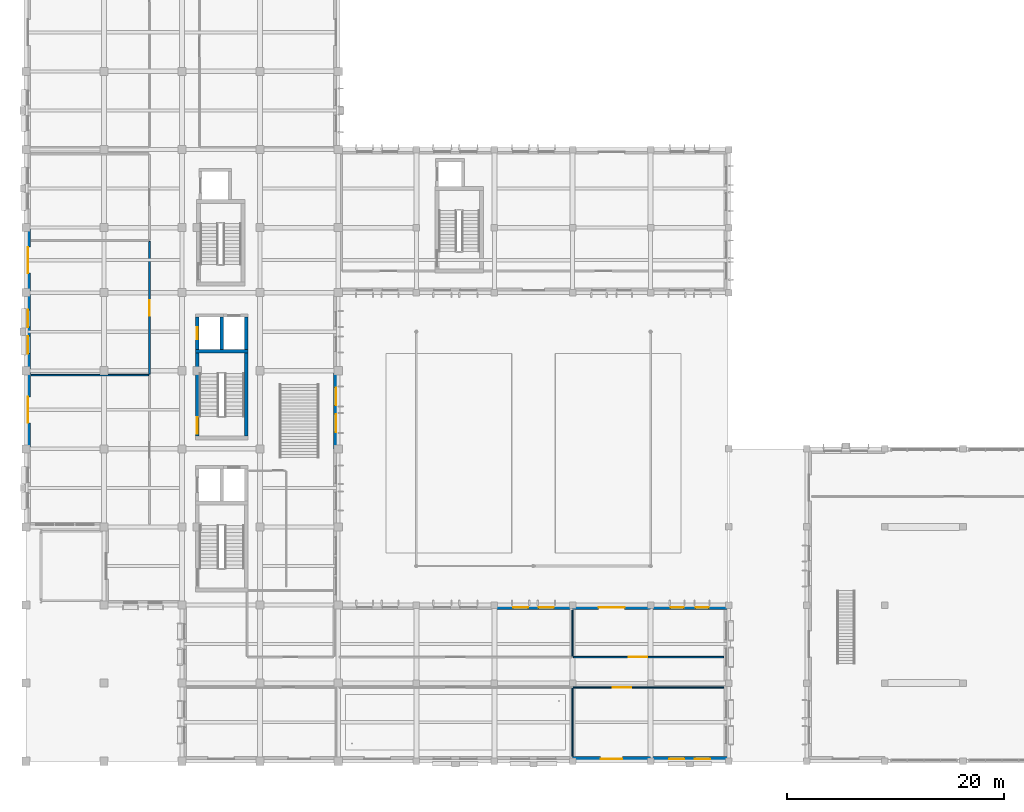
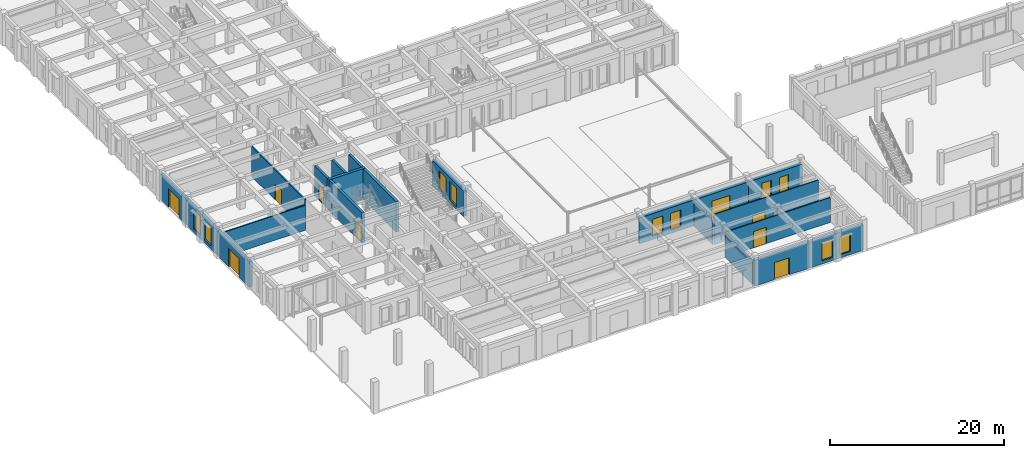
# One storey, part 23 of 43: 21 walls, 10 windows, 9 doors, 19 openings.
"""IFC4 building model written with IfcOpenShell, lengths in metres."""

from ifc_helpers import new_model, si_unit, direction, frame, frame_2d, origin, place, context, subcontext, project, spatial, rectangle, extrude, material, layer, layer_set, type_object, element, fill, save


model = new_model("IFC4")

# Units and contexts
model_context = context("Model", 3, precision=1e-05, world=origin(), true_north=direction((0.0, 1.0)))
body_context = subcontext(model_context, "Body", "Model", "MODEL_VIEW")
ifc_project = project(units=[si_unit("LENGTHUNIT", "METRE"), si_unit("AREAUNIT", "SQUARE_METRE"), si_unit("VOLUMEUNIT", "CUBIC_METRE"), si_unit("PLANEANGLEUNIT", "RADIAN"), si_unit("MASSUNIT", "GRAM", prefix="KILO")], contexts=[model_context])

# Site, building, storey
site_placement = place(None, origin())
site = spatial("IfcSite", under=ifc_project, at=site_placement, CompositionType="ELEMENT")
building_placement = place(site_placement, origin())
building = spatial("IfcBuilding", under=site, at=building_placement, Name="Alvorim Cloister Faculty of Sciences", CompositionType="ELEMENT")
storey_placement = place(building_placement, origin())
storey = spatial("IfcBuildingStorey", under=building, at=storey_placement, Name="L00", CompositionType="ELEMENT", Elevation=0.0)

# Wall, openings, windows
ifc_material_1 = material(Name="Maua Grey Granite Stone", Category="masonry")
ifc_layer_1 = layer(ifc_material_1, 0.419921875)
ifc_layer_set_1 = layer_set([ifc_layer_1], Name="Maua Grey Granite Stone")
wall_type_1 = type_object("IfcWallType", Name="WL-EXT-GRN-420", PredefinedType="SOLIDWALL", material=ifc_layer_set_1)
wall_1_placement = place(storey_placement, frame((57.60009765625, 0.2099609375, 0.0), z_axis=(0.0, 0.0, 1.0), x_axis=(1.0, 0.0, 0.0)))
wall_1 = element("IfcWall", 1, at=wall_1_placement, inside=storey, type_object=wall_type_1, Name="L00 Exterior Wall WL-0019", PredefinedType="SOLIDWALL", context=body_context, shape_type="SweptSolid", body=[
    extrude(rectangle(XDim=7.199951171875, YDim=0.419921875, at=frame_2d((3.60009765625, 0.0))), origin(), (0.0, 0.0, 1.0), 3.6201171875),
])
opening_1_placement = place(wall_1_placement, frame((1.716796875, 0.0, 0.449951171875)))
opening_1 = element("IfcOpeningElement", 2, at=opening_1_placement, cuts=wall_1, Name="Opening W-13", PredefinedType="OPENING", context=body_context, shape_type="SweptSolid", body=[
    extrude(rectangle(XDim=1.39990234375, YDim=2.550048828125, at=frame_2d((0.699951171875, 1.27490234375))), frame((0.0, 0.221923828125, 0.0), z_axis=(0.0, -1.0, 0.0), x_axis=(1.0, 0.0, 0.0)), (0.0, 0.0, 1.0), 0.44384765625),
])
opening_2_placement = place(wall_1_placement, frame((4.083251953125, 0.0, 0.449951171875)))
opening_2 = element("IfcOpeningElement", 3, at=opening_2_placement, cuts=wall_1, Name="Opening W-13", PredefinedType="OPENING", context=body_context, shape_type="SweptSolid", body=[
    extrude(rectangle(XDim=1.39990234375, YDim=2.550048828125, at=frame_2d((0.699951171875, 1.27490234375))), frame((0.0, 0.221923828125, 0.0), z_axis=(0.0, -1.0, 0.0), x_axis=(1.0, 0.0, 0.0)), (0.0, 0.0, 1.0), 0.44384765625),
])
ifc_material_2 = material(Name="Double Low-E Laminated Glass", Category="glass")
window_type_1 = type_object("IfcWindowType", Name="WN-LIB-1400x2550", PartitioningType="SINGLE_PANEL", PredefinedType="WINDOW", material=ifc_material_2)
window_1_placement = place(opening_1_placement, origin())
window_1 = element("IfcWindow", 4, at=window_1_placement, inside=storey, type_object=window_type_1, Name="L00 Gothic Lancet Window WN-0005", OverallHeight=2.550048828125, OverallWidth=1.39990234375, PartitioningType="SINGLE_PANEL", PredefinedType="WINDOW", context=body_context, shape_type="SweptSolid", body=[
    extrude(rectangle(XDim=1.39990234375, YDim=2.550048828125, at=frame_2d((0.699951171875, 1.27490234375))), frame((0.0, 0.030029296875, 0.0), z_axis=(0.0, -1.0, 0.0), x_axis=(1.0, 0.0, 0.0)), (0.0, 0.0, 1.0), 0.06005859375),
])
fill(opening_1, window_1)
window_2_placement = place(opening_2_placement, origin())
window_2 = element("IfcWindow", 5, at=window_2_placement, inside=storey, type_object=window_type_1, Name="L00 Gothic Lancet Window WN-0006", OverallHeight=2.550048828125, OverallWidth=1.39990234375, PartitioningType="SINGLE_PANEL", PredefinedType="WINDOW", context=body_context, shape_type="SweptSolid", body=[
    extrude(rectangle(XDim=1.39990234375, YDim=2.550048828125, at=frame_2d((0.699951171875, 1.27490234375))), frame((0.0, 0.030029296875, 0.0), z_axis=(0.0, -1.0, 0.0), x_axis=(1.0, 0.0, 0.0)), (0.0, 0.0, 1.0), 0.06005859375),
])
fill(opening_2, window_2)

# Wall, opening, door
wall_2_placement = place(storey_placement, frame((50.39990234375, 0.2099609375, 0.0), z_axis=(0.0, 0.0, 1.0), x_axis=(1.0, 0.0, 0.0)))
wall_2 = element("IfcWall", 6, at=wall_2_placement, inside=storey, type_object=wall_type_1, Name="L00 Exterior Wall WL-0020", PredefinedType="SOLIDWALL", context=body_context, shape_type="SweptSolid", body=[
    extrude(rectangle(XDim=7.2001953125, YDim=0.419921875, at=frame_2d((3.60009765625, 0.0))), origin(), (0.0, 0.0, 1.0), 3.6201171875),
])
opening_3_placement = place(wall_2_placement, frame((2.60009765625, 0.0, 0.0)))
opening_3 = element("IfcOpeningElement", 7, at=opening_3_placement, cuts=wall_2, Name="Opening ED-03", PredefinedType="OPENING", context=body_context, shape_type="SweptSolid", body=[
    extrude(rectangle(XDim=2.0, YDim=2.39990234375, at=frame_2d((1.0, 1.199951171875))), frame((0.0, 0.221923828125, 0.0), z_axis=(0.0, -1.0, 0.0), x_axis=(1.0, 0.0, 0.0)), (0.0, 0.0, 1.0), 0.44384765625),
])
ifc_material_3 = material(Name="Aluminium Alloy 6063-T6", Category="aluminium")
door_type_1 = type_object("IfcDoorType", Name="DR-EXIT-2000x2400", OperationType="NOTDEFINED", PredefinedType="DOOR", material=ifc_material_3)
door_1_placement = place(opening_3_placement, origin())
door_1 = element("IfcDoor", 8, at=door_1_placement, inside=storey, type_object=door_type_1, Name="Cloister Refectory Street Entrance ED-03", OperationType="DOUBLE_DOOR_SINGLE_SWING", OverallHeight=2.39990234375, OverallWidth=2.0, PredefinedType="DOOR", context=body_context, shape_type="SweptSolid", body=[
    extrude(rectangle(XDim=2.0, YDim=2.39990234375, at=frame_2d((1.0, 1.199951171875))), frame((0.0, 0.02490234375, 0.0), z_axis=(0.0, -1.0, 0.0), x_axis=(1.0, 0.0, 0.0)), (0.0, 0.0, 1.0), 0.050048828125),
])
fill(opening_3, door_1)

wall_3_placement = place(storey_placement, frame((0.2099609375, 28.800048828125, 0.0), z_axis=(0.0, 0.0, 1.0), x_axis=(0.0, 1.0, 0.0)))
wall_3 = element("IfcWall", 9, at=wall_3_placement, inside=storey, type_object=wall_type_1, Name="L00 Exterior Wall WL-0032", PredefinedType="SOLIDWALL", context=body_context, shape_type="SweptSolid", body=[
    extrude(rectangle(XDim=7.199951171875, YDim=0.419921875, at=frame_2d((3.60009765625, 0.0))), origin(), (0.0, 0.0, 1.0), 3.6201171875),
])
opening_4_placement = place(wall_3_placement, frame((2.39990234375, 0.0, 0.0)))
opening_4 = element("IfcOpeningElement", 10, at=opening_4_placement, cuts=wall_3, Name="Opening ED-16", PredefinedType="OPENING", context=body_context, shape_type="SweptSolid", body=[
    extrude(rectangle(XDim=2.39990234375, YDim=2.60009765625, at=frame_2d((1.199951171875, 1.300048828125))), frame((0.0, 0.221923828125, 0.0), z_axis=(0.0, -1.0, 0.0), x_axis=(1.0, 0.0, 0.0)), (0.0, 0.0, 1.0), 0.44384765625),
])
door_type_2 = type_object("IfcDoorType", Name="DR-EXIT-2400x2600", OperationType="NOTDEFINED", PredefinedType="DOOR", material=ifc_material_3)
door_2_placement = place(opening_4_placement, origin())
door_2 = element("IfcDoor", 11, at=door_2_placement, inside=storey, type_object=door_type_2, Name="West Street Lab Foyer Exit ED-16", OperationType="DOUBLE_DOOR_SINGLE_SWING", OverallHeight=2.60009765625, OverallWidth=2.39990234375, PredefinedType="DOOR", context=body_context, shape_type="SweptSolid", body=[
    extrude(rectangle(XDim=2.39990234375, YDim=2.60009765625, at=frame_2d((1.199951171875, 1.300048828125))), frame((0.0, 0.02490234375, 0.0), z_axis=(0.0, -1.0, 0.0), x_axis=(1.0, 0.0, 0.0)), (0.0, 0.0, 1.0), 0.050048828125),
])
fill(opening_4, door_2)

# Wall, openings, windows
wall_4_placement = place(storey_placement, frame((0.2099609375, 36.0, 0.0), z_axis=(0.0, 0.0, 1.0), x_axis=(0.0, 1.0, 0.0)))
wall_4 = element("IfcWall", 12, at=wall_4_placement, inside=storey, type_object=wall_type_1, Name="L00 Exterior Wall WL-0033", PredefinedType="SOLIDWALL", context=body_context, shape_type="SweptSolid", body=[
    extrude(rectangle(XDim=7.199951171875, YDim=0.419921875, at=frame_2d((3.60009765625, 0.0))), origin(), (0.0, 0.0, 1.0), 3.6201171875),
])
opening_5_placement = place(wall_4_placement, frame((1.583251953125, 0.0, 0.449951171875)))
opening_5 = element("IfcOpeningElement", 13, at=opening_5_placement, cuts=wall_4, Name="Opening W-11", PredefinedType="OPENING", context=body_context, shape_type="SweptSolid", body=[
    extrude(rectangle(XDim=1.60009765625, YDim=2.64990234375, at=frame_2d((0.800048828125, 1.324951171875))), frame((0.0, 0.221923828125, 0.0), z_axis=(0.0, -1.0, 0.0), x_axis=(1.0, 0.0, 0.0)), (0.0, 0.0, 1.0), 0.44384765625),
])
opening_6_placement = place(wall_4_placement, frame((4.0166015625, 0.0, 0.449951171875)))
opening_6 = element("IfcOpeningElement", 14, at=opening_6_placement, cuts=wall_4, Name="Opening W-11", PredefinedType="OPENING", context=body_context, shape_type="SweptSolid", body=[
    extrude(rectangle(XDim=1.60009765625, YDim=2.64990234375, at=frame_2d((0.800048828125, 1.324951171875))), frame((0.0, 0.221923828125, 0.0), z_axis=(0.0, -1.0, 0.0), x_axis=(1.0, 0.0, 0.0)), (0.0, 0.0, 1.0), 0.44384765625),
])
window_type_2 = type_object("IfcWindowType", Name="WN-LIB-1600x2650", PartitioningType="SINGLE_PANEL", PredefinedType="WINDOW", material=ifc_material_2)
window_3_placement = place(opening_5_placement, origin())
window_3 = element("IfcWindow", 15, at=window_3_placement, inside=storey, type_object=window_type_2, Name="L00 Gothic Lancet Window WN-0022", OverallHeight=2.64990234375, OverallWidth=1.60009765625, PartitioningType="SINGLE_PANEL", PredefinedType="WINDOW", context=body_context, shape_type="SweptSolid", body=[
    extrude(rectangle(XDim=1.60009765625, YDim=2.64990234375, at=frame_2d((0.800048828125, 1.324951171875))), frame((0.0, 0.030029296875, 0.0), z_axis=(0.0, -1.0, 0.0), x_axis=(1.0, 0.0, 0.0)), (0.0, 0.0, 1.0), 0.06005859375),
])
fill(opening_5, window_3)
window_4_placement = place(opening_6_placement, origin())
window_4 = element("IfcWindow", 16, at=window_4_placement, inside=storey, type_object=window_type_2, Name="L00 Gothic Lancet Window WN-0023", OverallHeight=2.64990234375, OverallWidth=1.60009765625, PartitioningType="SINGLE_PANEL", PredefinedType="WINDOW", context=body_context, shape_type="SweptSolid", body=[
    extrude(rectangle(XDim=1.60009765625, YDim=2.64990234375, at=frame_2d((0.800048828125, 1.324951171875))), frame((0.0, 0.030029296875, 0.0), z_axis=(0.0, -1.0, 0.0), x_axis=(1.0, 0.0, 0.0)), (0.0, 0.0, 1.0), 0.06005859375),
])
fill(opening_6, window_4)

# Wall, opening, door
wall_5_placement = place(storey_placement, frame((0.2099609375, 43.199951171875, 0.0), z_axis=(0.0, 0.0, 1.0), x_axis=(0.0, 1.0, 0.0)))
wall_5 = element("IfcWall", 17, at=wall_5_placement, inside=storey, type_object=wall_type_1, Name="L00 Exterior Wall WL-0034", PredefinedType="SOLIDWALL", context=body_context, shape_type="SweptSolid", body=[
    extrude(rectangle(XDim=6.0, YDim=0.419921875, at=frame_2d((3.0, 0.0))), origin(), (0.0, 0.0, 1.0), 3.6201171875),
])
opening_7_placement = place(wall_5_placement, frame((1.800048828125, 0.0, 0.0)))
opening_7 = element("IfcOpeningElement", 18, at=opening_7_placement, cuts=wall_5, Name="Opening ED-17", PredefinedType="OPENING", context=body_context, shape_type="SweptSolid", body=[
    extrude(rectangle(XDim=2.39990234375, YDim=2.60009765625, at=frame_2d((1.199951171875, 1.300048828125))), frame((0.0, 0.221923828125, 0.0), z_axis=(0.0, -1.0, 0.0), x_axis=(1.0, 0.0, 0.0)), (0.0, 0.0, 1.0), 0.44384765625),
])
door_3_placement = place(opening_7_placement, origin())
door_3 = element("IfcDoor", 19, at=door_3_placement, inside=storey, type_object=door_type_2, Name="West Street North Colonnade Exit ED-17", OperationType="DOUBLE_DOOR_SINGLE_SWING", OverallHeight=2.60009765625, OverallWidth=2.39990234375, PredefinedType="DOOR", context=body_context, shape_type="SweptSolid", body=[
    extrude(rectangle(XDim=2.39990234375, YDim=2.60009765625, at=frame_2d((1.199951171875, 1.300048828125))), frame((0.0, 0.02490234375, 0.0), z_axis=(0.0, -1.0, 0.0), x_axis=(1.0, 0.0, 0.0)), (0.0, 0.0, 1.0), 0.050048828125),
])
fill(opening_7, door_3)

# Wall, openings, windows
wall_6_placement = place(storey_placement, frame((28.590087890625, 28.800048828125, 0.0), z_axis=(0.0, 0.0, 1.0), x_axis=(0.0, 1.0, 0.0)))
wall_6 = element("IfcWall", 20, at=wall_6_placement, inside=storey, type_object=wall_type_1, Name="L00 Exterior Wall WL-0069", PredefinedType="SOLIDWALL", context=body_context, shape_type="SweptSolid", body=[
    extrude(rectangle(XDim=7.199951171875, YDim=0.419921875, at=frame_2d((3.60009765625, 0.0))), origin(), (0.0, 0.0, 1.0), 3.6201171875),
])
opening_8_placement = place(wall_6_placement, frame((1.550048828125, 0.0, 0.449951171875)))
opening_8 = element("IfcOpeningElement", 21, at=opening_8_placement, cuts=wall_6, Name="Opening W-15", PredefinedType="OPENING", context=body_context, shape_type="SweptSolid", body=[
    extrude(rectangle(XDim=1.64990234375, YDim=2.60009765625, at=frame_2d((0.824951171875, 1.300048828125))), frame((0.0, 0.221923828125, 0.0), z_axis=(0.0, -1.0, 0.0), x_axis=(1.0, 0.0, 0.0)), (0.0, 0.0, 1.0), 0.44384765625),
])
opening_9_placement = place(wall_6_placement, frame((4.0, 0.0, 0.449951171875)))
opening_9 = element("IfcOpeningElement", 22, at=opening_9_placement, cuts=wall_6, Name="Opening W-15", PredefinedType="OPENING", context=body_context, shape_type="SweptSolid", body=[
    extrude(rectangle(XDim=1.64990234375, YDim=2.60009765625, at=frame_2d((0.824951171875, 1.300048828125))), frame((0.0, 0.221923828125, 0.0), z_axis=(0.0, -1.0, 0.0), x_axis=(1.0, 0.0, 0.0)), (0.0, 0.0, 1.0), 0.44384765625),
])
window_type_3 = type_object("IfcWindowType", Name="WN-LAB-1650x2600", PartitioningType="SINGLE_PANEL", PredefinedType="WINDOW", material=ifc_material_2)
window_5_placement = place(opening_8_placement, origin())
window_5 = element("IfcWindow", 23, at=window_5_placement, inside=storey, type_object=window_type_3, Name="L00 Gothic Lancet Window WN-0079", OverallHeight=2.60009765625, OverallWidth=1.64990234375, PartitioningType="SINGLE_PANEL", PredefinedType="WINDOW", context=body_context, shape_type="SweptSolid", body=[
    extrude(rectangle(XDim=1.64990234375, YDim=2.60009765625, at=frame_2d((0.824951171875, 1.300048828125))), frame((0.0, 0.030029296875, 0.0), z_axis=(0.0, -1.0, 0.0), x_axis=(1.0, 0.0, 0.0)), (0.0, 0.0, 1.0), 0.06005859375),
])
fill(opening_8, window_5)
window_6_placement = place(opening_9_placement, origin())
window_6 = element("IfcWindow", 24, at=window_6_placement, inside=storey, type_object=window_type_3, Name="L00 Gothic Lancet Window WN-0080", OverallHeight=2.60009765625, OverallWidth=1.64990234375, PartitioningType="SINGLE_PANEL", PredefinedType="WINDOW", context=body_context, shape_type="SweptSolid", body=[
    extrude(rectangle(XDim=1.64990234375, YDim=2.60009765625, at=frame_2d((0.824951171875, 1.300048828125))), frame((0.0, 0.030029296875, 0.0), z_axis=(0.0, -1.0, 0.0), x_axis=(1.0, 0.0, 0.0)), (0.0, 0.0, 1.0), 0.06005859375),
])
fill(opening_9, window_6)

wall_7_placement = place(storey_placement, frame((43.199951171875, 14.18994140625, 0.0), z_axis=(0.0, 0.0, 1.0), x_axis=(1.0, 0.0, 0.0)))
wall_7 = element("IfcWall", 25, at=wall_7_placement, inside=storey, type_object=wall_type_1, Name="L00 Exterior Wall WL-0074", PredefinedType="SOLIDWALL", context=body_context, shape_type="SweptSolid", body=[
    extrude(rectangle(XDim=7.199951171875, YDim=0.419921875, at=frame_2d((3.60009765625, 0.0))), origin(), (0.0, 0.0, 1.0), 3.6201171875),
])
opening_10_placement = place(wall_7_placement, frame((1.716796875, 0.0, 0.449951171875)))
opening_10 = element("IfcOpeningElement", 26, at=opening_10_placement, cuts=wall_7, Name="Opening W-20", PredefinedType="OPENING", context=body_context, shape_type="SweptSolid", body=[
    extrude(rectangle(XDim=1.39990234375, YDim=2.3798828125, at=frame_2d((0.699951171875, 1.18994140625))), frame((0.0, 0.221923828125, 0.0), z_axis=(0.0, -1.0, 0.0), x_axis=(1.0, 0.0, 0.0)), (0.0, 0.0, 1.0), 0.44384765625),
])
opening_11_placement = place(wall_7_placement, frame((4.083251953125, 0.0, 0.449951171875)))
opening_11 = element("IfcOpeningElement", 27, at=opening_11_placement, cuts=wall_7, Name="Opening W-20", PredefinedType="OPENING", context=body_context, shape_type="SweptSolid", body=[
    extrude(rectangle(XDim=1.39990234375, YDim=2.3798828125, at=frame_2d((0.699951171875, 1.18994140625))), frame((0.0, 0.221923828125, 0.0), z_axis=(0.0, -1.0, 0.0), x_axis=(1.0, 0.0, 0.0)), (0.0, 0.0, 1.0), 0.44384765625),
])
window_type_4 = type_object("IfcWindowType", Name="WN-OFF-1400x2380", PartitioningType="SINGLE_PANEL", PredefinedType="WINDOW", material=ifc_material_2)
window_7_placement = place(opening_10_placement, origin())
window_7 = element("IfcWindow", 28, at=window_7_placement, inside=storey, type_object=window_type_4, Name="L00 Gothic Lancet Window WN-0090", OverallHeight=2.3798828125, OverallWidth=1.39990234375, PartitioningType="SINGLE_PANEL", PredefinedType="WINDOW", context=body_context, shape_type="SweptSolid", body=[
    extrude(rectangle(XDim=1.39990234375, YDim=2.3798828125, at=frame_2d((0.699951171875, 1.18994140625))), frame((0.0, 0.030029296875, 0.0), z_axis=(0.0, -1.0, 0.0), x_axis=(1.0, 0.0, 0.0)), (0.0, 0.0, 1.0), 0.06005859375),
])
fill(opening_10, window_7)
window_8_placement = place(opening_11_placement, origin())
window_8 = element("IfcWindow", 29, at=window_8_placement, inside=storey, type_object=window_type_4, Name="L00 Gothic Lancet Window WN-0091", OverallHeight=2.3798828125, OverallWidth=1.39990234375, PartitioningType="SINGLE_PANEL", PredefinedType="WINDOW", context=body_context, shape_type="SweptSolid", body=[
    extrude(rectangle(XDim=1.39990234375, YDim=2.3798828125, at=frame_2d((0.699951171875, 1.18994140625))), frame((0.0, 0.030029296875, 0.0), z_axis=(0.0, -1.0, 0.0), x_axis=(1.0, 0.0, 0.0)), (0.0, 0.0, 1.0), 0.06005859375),
])
fill(opening_11, window_8)

# Wall, opening, door
wall_8_placement = place(storey_placement, frame((50.39990234375, 14.18994140625, 0.0), z_axis=(0.0, 0.0, 1.0), x_axis=(1.0, 0.0, 0.0)))
wall_8 = element("IfcWall", 30, at=wall_8_placement, inside=storey, type_object=wall_type_1, Name="L00 Exterior Wall WL-0075", PredefinedType="SOLIDWALL", context=body_context, shape_type="SweptSolid", body=[
    extrude(rectangle(XDim=7.2001953125, YDim=0.419921875, at=frame_2d((3.60009765625, 0.0))), origin(), (0.0, 0.0, 1.0), 3.6201171875),
])
opening_12_placement = place(wall_8_placement, frame((2.39990234375, 0.0, 0.0)))
opening_12 = element("IfcOpeningElement", 31, at=opening_12_placement, cuts=wall_8, Name="Opening ED-18", PredefinedType="OPENING", context=body_context, shape_type="SweptSolid", body=[
    extrude(rectangle(XDim=2.39990234375, YDim=2.60009765625, at=frame_2d((1.199951171875, 1.300048828125))), frame((0.0, 0.221923828125, 0.0), z_axis=(0.0, -1.0, 0.0), x_axis=(1.0, 0.0, 0.0)), (0.0, 0.0, 1.0), 0.44384765625),
])
door_4_placement = place(opening_12_placement, origin())
door_4 = element("IfcDoor", 32, at=door_4_placement, inside=storey, type_object=door_type_2, Name="Cloister Refectory Courtyard Portal ED-18", OperationType="DOUBLE_DOOR_SINGLE_SWING", OverallHeight=2.60009765625, OverallWidth=2.39990234375, PredefinedType="DOOR", context=body_context, shape_type="SweptSolid", body=[
    extrude(rectangle(XDim=2.39990234375, YDim=2.60009765625, at=frame_2d((1.199951171875, 1.300048828125))), frame((0.0, 0.02490234375, 0.0), z_axis=(0.0, -1.0, 0.0), x_axis=(1.0, 0.0, 0.0)), (0.0, 0.0, 1.0), 0.050048828125),
])
fill(opening_12, door_4)

# Wall, openings, windows
wall_9_placement = place(storey_placement, frame((57.60009765625, 14.18994140625, 0.0), z_axis=(0.0, 0.0, 1.0), x_axis=(1.0, 0.0, 0.0)))
wall_9 = element("IfcWall", 33, at=wall_9_placement, inside=storey, type_object=wall_type_1, Name="L00 Exterior Wall WL-0076", PredefinedType="SOLIDWALL", context=body_context, shape_type="SweptSolid", body=[
    extrude(rectangle(XDim=7.199951171875, YDim=0.419921875, at=frame_2d((3.60009765625, 0.0))), origin(), (0.0, 0.0, 1.0), 3.6201171875),
])
opening_13_placement = place(wall_9_placement, frame((1.85009765625, 0.0, 0.449951171875)))
opening_13 = element("IfcOpeningElement", 34, at=opening_13_placement, cuts=wall_9, Name="Opening W-22", PredefinedType="OPENING", context=body_context, shape_type="SweptSolid", body=[
    extrude(rectangle(XDim=1.199951171875, YDim=2.35009765625, at=frame_2d((0.60009765625, 1.175048828125))), frame((0.0, 0.221923828125, 0.0), z_axis=(0.0, -1.0, 0.0), x_axis=(1.0, 0.0, 0.0)), (0.0, 0.0, 1.0), 0.44384765625),
])
opening_14_placement = place(wall_9_placement, frame((4.14990234375, 0.0, 0.449951171875)))
opening_14 = element("IfcOpeningElement", 35, at=opening_14_placement, cuts=wall_9, Name="Opening W-22", PredefinedType="OPENING", context=body_context, shape_type="SweptSolid", body=[
    extrude(rectangle(XDim=1.199951171875, YDim=2.35009765625, at=frame_2d((0.60009765625, 1.175048828125))), frame((0.0, 0.221923828125, 0.0), z_axis=(0.0, -1.0, 0.0), x_axis=(1.0, 0.0, 0.0)), (0.0, 0.0, 1.0), 0.44384765625),
])
window_type_5 = type_object("IfcWindowType", Name="WN-OFF-1200x2350", PartitioningType="SINGLE_PANEL", PredefinedType="WINDOW", material=ifc_material_2)
window_9_placement = place(opening_13_placement, origin())
window_9 = element("IfcWindow", 36, at=window_9_placement, inside=storey, type_object=window_type_5, Name="L00 Gothic Lancet Window WN-0092", OverallHeight=2.35009765625, OverallWidth=1.199951171875, PartitioningType="SINGLE_PANEL", PredefinedType="WINDOW", context=body_context, shape_type="SweptSolid", body=[
    extrude(rectangle(XDim=1.199951171875, YDim=2.35009765625, at=frame_2d((0.60009765625, 1.175048828125))), frame((0.0, 0.030029296875, 0.0), z_axis=(0.0, -1.0, 0.0), x_axis=(1.0, 0.0, 0.0)), (0.0, 0.0, 1.0), 0.06005859375),
])
fill(opening_13, window_9)
window_10_placement = place(opening_14_placement, origin())
window_10 = element("IfcWindow", 37, at=window_10_placement, inside=storey, type_object=window_type_5, Name="L00 Gothic Lancet Window WN-0093", OverallHeight=2.35009765625, OverallWidth=1.199951171875, PartitioningType="SINGLE_PANEL", PredefinedType="WINDOW", context=body_context, shape_type="SweptSolid", body=[
    extrude(rectangle(XDim=1.199951171875, YDim=2.35009765625, at=frame_2d((0.60009765625, 1.175048828125))), frame((0.0, 0.030029296875, 0.0), z_axis=(0.0, -1.0, 0.0), x_axis=(1.0, 0.0, 0.0)), (0.0, 0.0, 1.0), 0.06005859375),
])
fill(opening_14, window_10)

# Walls
ifc_material_4 = material(Name="Acoustic Gypsum Stud Partition", Category="gypsum")
ifc_layer_2 = layer(ifc_material_4, 0.1201171875)
ifc_layer_set_2 = layer_set([ifc_layer_2], Name="Acoustic Gypsum Stud Partition")
wall_type_2 = type_object("IfcWallType", Name="WL-PRT-120", PredefinedType="PARTITIONING", material=ifc_layer_set_2)
wall_10_placement = place(storey_placement, frame((50.39990234375, 0.47998046875, 0.0), z_axis=(0.0, 0.0, 1.0), x_axis=(0.0, 1.0, 0.0)))
element("IfcWall", 38, at=wall_10_placement, inside=storey, type_object=wall_type_2, Name="L00 Natural History Public Exhibition Gallery Partition IWL-0468", PredefinedType="PARTITIONING", context=body_context, shape_type="SweptSolid", body=[
    extrude(rectangle(XDim=6.239990234375, YDim=0.1201171875, at=frame_2d((3.1201171875, 0.0))), origin(), (0.0, 0.0, 1.0), 3.385009765625),
])
wall_11_placement = place(storey_placement, frame((50.39990234375, 9.679931640625, 0.0), z_axis=(0.0, 0.0, 1.0), x_axis=(0.0, 1.0, 0.0)))
element("IfcWall", 39, at=wall_11_placement, inside=storey, type_object=wall_type_2, Name="L00 Geological and Mineralogy Cabinet Partition IWL-0471", PredefinedType="PARTITIONING", context=body_context, shape_type="SweptSolid", body=[
    extrude(rectangle(XDim=4.239990234375, YDim=0.1201171875, at=frame_2d((2.1201171875, 0.0))), origin(), (0.0, 0.0, 1.0), 3.385009765625),
])

# Wall, opening, door
wall_12_placement = place(storey_placement, frame((50.47998046875, 6.800048828125, 0.0), z_axis=(0.0, 0.0, 1.0), x_axis=(1.0, 0.0, 0.0)))
wall_12 = element("IfcWall", 40, at=wall_12_placement, inside=storey, type_object=wall_type_2, Name="L00 Cloister Arcade University Cafe and Bookshop Partition IWL-0472", PredefinedType="PARTITIONING", context=body_context, shape_type="SweptSolid", body=[
    extrude(rectangle(XDim=13.840087890625, YDim=0.1201171875, at=frame_2d((6.919921875, 0.0))), origin(), (0.0, 0.0, 1.0), 3.485107421875),
])
opening_15_placement = place(wall_12_placement, frame((3.632568359375, 0.0, 0.0)))
opening_15 = element("IfcOpeningElement", 41, at=opening_15_placement, cuts=wall_12, Name="Opening D-L00-087", PredefinedType="OPENING", context=body_context, shape_type="SweptSolid", body=[
    extrude(rectangle(XDim=1.699951171875, YDim=2.280029296875, at=frame_2d((0.85009765625, 1.14013671875))), frame((0.0, 0.072021484375, 0.0), z_axis=(0.0, -1.0, 0.0), x_axis=(1.0, 0.0, 0.0)), (0.0, 0.0, 1.0), 0.14404296875),
])
ifc_material_5 = material(Name="Solid Acoustic Oak Timber", Category="wood")
door_type_3 = type_object("IfcDoorType", Name="DR-HALL-1700x2280", OperationType="NOTDEFINED", PredefinedType="DOOR", material=ifc_material_5)
door_5_placement = place(opening_15_placement, origin())
door_5 = element("IfcDoor", 42, at=door_5_placement, inside=storey, type_object=door_type_3, Name="Cloister Arcade University Cafe and Bookshop Door D-L00-087", OperationType="DOUBLE_DOOR_SINGLE_SWING", OverallHeight=2.280029296875, OverallWidth=1.699951171875, PredefinedType="DOOR", context=body_context, shape_type="SweptSolid", body=[
    extrude(rectangle(XDim=1.699951171875, YDim=2.280029296875, at=frame_2d((0.85009765625, 1.14013671875))), frame((0.0, 0.02490234375, 0.0), z_axis=(0.0, -1.0, 0.0), x_axis=(1.0, 0.0, 0.0)), (0.0, 0.0, 1.0), 0.050048828125),
])
fill(opening_15, door_5)

wall_13_placement = place(storey_placement, frame((50.47998046875, 9.60009765625, 0.0), z_axis=(0.0, 0.0, 1.0), x_axis=(1.0, 0.0, 0.0)))
wall_13 = element("IfcWall", 43, at=wall_13_placement, inside=storey, type_object=wall_type_2, Name="L00 Refectory Dining Room and Servery Partition IWL-0473", PredefinedType="PARTITIONING", context=body_context, shape_type="SweptSolid", body=[
    extrude(rectangle(XDim=13.840087890625, YDim=0.1201171875, at=frame_2d((6.919921875, 0.0))), origin(), (0.0, 0.0, 1.0), 4.235107421875),
])
opening_16_placement = place(wall_13_placement, frame((5.094970703125, 0.0, 0.0)))
opening_16 = element("IfcOpeningElement", 44, at=opening_16_placement, cuts=wall_13, Name="Opening D-L00-088", PredefinedType="OPENING", context=body_context, shape_type="SweptSolid", body=[
    extrude(rectangle(XDim=1.699951171875, YDim=2.280029296875, at=frame_2d((0.85009765625, 1.14013671875))), frame((0.0, 0.072021484375, 0.0), z_axis=(0.0, -1.0, 0.0), x_axis=(1.0, 0.0, 0.0)), (0.0, 0.0, 1.0), 0.14404296875),
])
door_6_placement = place(opening_16_placement, origin())
door_6 = element("IfcDoor", 45, at=door_6_placement, inside=storey, type_object=door_type_3, Name="Refectory Dining Room and Servery Door D-L00-088", OperationType="DOUBLE_DOOR_SINGLE_SWING", OverallHeight=2.280029296875, OverallWidth=1.699951171875, PredefinedType="DOOR", context=body_context, shape_type="SweptSolid", body=[
    extrude(rectangle(XDim=1.699951171875, YDim=2.280029296875, at=frame_2d((0.85009765625, 1.14013671875))), frame((0.0, 0.02490234375, 0.0), z_axis=(0.0, -1.0, 0.0), x_axis=(1.0, 0.0, 0.0)), (0.0, 0.0, 1.0), 0.050048828125),
])
fill(opening_16, door_6)

# Wall
ifc_material_6 = material(Name="Gypsum Fireboard Stud Partition", Category="gypsum")
ifc_layer_3 = layer(ifc_material_6, 0.14990234375)
ifc_layer_set_3 = layer_set([ifc_layer_3], Name="Gypsum Fireboard Stud Partition")
wall_type_3 = type_object("IfcWallType", Name="WL-PRT-150", PredefinedType="PARTITIONING", material=ifc_layer_set_3)
wall_14_placement = place(storey_placement, frame((0.47998046875, 35.60009765625, 0.0), z_axis=(0.0, 0.0, 1.0), x_axis=(1.0, 0.0, 0.0)))
element("IfcWall", 46, at=wall_14_placement, inside=storey, type_object=wall_type_3, Name="L00 Introductory Chemistry Preparation Lab Partition IWL-0461", PredefinedType="PARTITIONING", context=body_context, shape_type="SweptSolid", body=[
    extrude(rectangle(XDim=10.840087890625, YDim=0.14990234375, at=frame_2d((5.419921875, 0.0))), origin(), (0.0, 0.0, 1.0), 3.485107421875),
])

# Wall, opening, door
wall_15_placement = place(storey_placement, frame((11.39990234375, 35.679931640625, 0.0), z_axis=(0.0, 0.0, 1.0), x_axis=(0.0, 1.0, 0.0)))
wall_15 = element("IfcWall", 47, at=wall_15_placement, inside=storey, type_object=wall_type_3, Name="L00 Shared Optical Microscopy Facility Partition IWL-0462", PredefinedType="PARTITIONING", context=body_context, shape_type="SweptSolid", body=[
    extrude(rectangle(XDim=12.239990234375, YDim=0.14990234375, at=frame_2d((6.1201171875, 0.0))), origin(), (0.0, 0.0, 1.0), 4.235107421875),
])
opening_17_placement = place(wall_15_placement, frame((5.409912109375, 0.0, 0.0)))
opening_17 = element("IfcOpeningElement", 48, at=opening_17_placement, cuts=wall_15, Name="Opening D-L00-082", PredefinedType="OPENING", context=body_context, shape_type="SweptSolid", body=[
    extrude(rectangle(XDim=1.419921875, YDim=2.219970703125, at=frame_2d((0.7099609375, 1.10986328125))), frame((0.0, 0.0869140625, 0.0), z_axis=(0.0, -1.0, 0.0), x_axis=(1.0, 0.0, 0.0)), (0.0, 0.0, 1.0), 0.173828125),
])
ifc_material_7 = material(Name="Fire-Rated Laminate Timber", Category="wood")
door_type_4 = type_object("IfcDoorType", Name="DR-LAB-1420x2220", OperationType="NOTDEFINED", PredefinedType="DOOR", material=ifc_material_7)
door_7_placement = place(opening_17_placement, origin())
door_7 = element("IfcDoor", 49, at=door_7_placement, inside=storey, type_object=door_type_4, Name="Shared Optical Microscopy Facility Door D-L00-082", OperationType="SINGLE_SWING_LEFT", OverallHeight=2.219970703125, OverallWidth=1.419921875, PredefinedType="DOOR", context=body_context, shape_type="SweptSolid", body=[
    extrude(rectangle(XDim=1.419921875, YDim=2.219970703125, at=frame_2d((0.7099609375, 1.10986328125))), frame((0.0, 0.02490234375, 0.0), z_axis=(0.0, -1.0, 0.0), x_axis=(1.0, 0.0, 0.0)), (0.0, 0.0, 1.0), 0.050048828125),
])
fill(opening_17, door_7)

ifc_material_8 = material(Name="Concrete C40", Category="concrete")
ifc_layer_4 = layer(ifc_material_8, 0.300048828125)
ifc_layer_set_4 = layer_set([ifc_layer_4], Name="Concrete C40")
wall_type_4 = type_object("IfcWallType", Name="WL-SHR-300", PredefinedType="SHEAR", material=ifc_layer_set_4)
wall_16_placement = place(storey_placement, frame((15.800048828125, 37.97998046875, 0.0), z_axis=(0.0, 0.0, 1.0), x_axis=(0.0, 1.0, 0.0)))
wall_16 = element("IfcWall", 50, at=wall_16_placement, inside=storey, type_object=wall_type_4, Name="L00 Lift LP-02 Shaft Wall IWL-0292", PredefinedType="SHEAR", context=body_context, shape_type="SweptSolid", body=[
    extrude(rectangle(XDim=2.969970703125, YDim=0.300048828125, at=frame_2d((1.48486328125, 0.0))), origin(), (0.0, 0.0, 1.0), 4.25),
])
opening_18_placement = place(wall_16_placement, frame((0.93505859375, 0.0, 0.0)))
opening_18 = element("IfcOpeningElement", 51, at=opening_18_placement, cuts=wall_16, Name="Opening LD-024", PredefinedType="OPENING", context=body_context, shape_type="SweptSolid", body=[
    extrude(rectangle(XDim=1.10009765625, YDim=2.199951171875, at=frame_2d((0.550048828125, 1.10009765625))), frame((0.0, 0.162109375, 0.0), z_axis=(0.0, -1.0, 0.0), x_axis=(1.0, 0.0, 0.0)), (0.0, 0.0, 1.0), 0.323974609375),
])
ifc_material_9 = material(Name="Brushed Stainless Steel", Category="steel")
door_type_5 = type_object("IfcDoorType", Name="DR-LFT-1100x2200", OperationType="NOTDEFINED", PredefinedType="DOOR", material=ifc_material_9)
door_8_placement = place(opening_18_placement, origin())
door_8 = element("IfcDoor", 52, at=door_8_placement, inside=storey, type_object=door_type_5, Name="L00 Lift LP-02 Sliding Landing Door LD-024", OperationType="DOUBLE_DOOR_SLIDING", OverallHeight=2.199951171875, OverallWidth=1.10009765625, PredefinedType="DOOR", context=body_context, shape_type="SweptSolid", body=[
    extrude(rectangle(XDim=1.10009765625, YDim=2.199951171875, at=frame_2d((0.550048828125, 1.10009765625))), frame((0.0, 0.02490234375, 0.0), z_axis=(0.0, -1.0, 0.0), x_axis=(1.0, 0.0, 0.0)), (0.0, 0.0, 1.0), 0.050048828125),
])
fill(opening_18, door_8)

# Walls
for number, where, z_axis, x_axis, name in (
    (53, (18.06005859375, 37.97998046875, 0.0), (0.0, 0.0, 1.0), (0.0, 1.0, 0.0), "L00 Lift LP-02 Shaft Wall IWL-0293"),
    (54, (20.320068359375, 37.97998046875, 0.0), (0.0, 0.0, 1.0), (0.0, 1.0, 0.0), "L00 Lift LP-03 Shaft Wall IWL-0321"),
):
    element("IfcWall", number, at=place(storey_placement, frame(where, z_axis=z_axis, x_axis=x_axis)), inside=storey, type_object=wall_type_4, Name=name, PredefinedType="SHEAR", context=body_context, shape_type="SweptSolid", body=[
        extrude(rectangle(XDim=2.969970703125, YDim=0.300048828125, at=frame_2d((1.48486328125, 0.0))), origin(), (0.0, 0.0, 1.0), 4.25),
    ])
ifc_layer_5 = layer(ifc_material_8, 0.360107421875)
ifc_layer_set_5 = layer_set([ifc_layer_5], Name="Concrete C40")
wall_type_5 = type_object("IfcWallType", Name="WL-SHR-360", PredefinedType="SHEAR", material=ifc_layer_set_5)
wall_17_placement = place(storey_placement, frame((15.6201171875, 37.800048828125, 0.0), z_axis=(0.0, 0.0, 1.0), x_axis=(1.0, 0.0, 0.0)))
element("IfcWall", 55, at=wall_17_placement, inside=storey, type_object=wall_type_5, Name="L00 CORE K2 Shear Wall IWL-0050", PredefinedType="SHEAR", context=body_context, shape_type="SweptSolid", body=[
    extrude(rectangle(XDim=4.8798828125, YDim=0.360107421875, at=frame_2d((2.43994140625, 0.0))), origin(), (0.0, 0.0, 1.0), 4.25),
])

# Wall, opening, door
wall_18_placement = place(storey_placement, frame((15.800048828125, 29.97998046875, 0.0), z_axis=(0.0, 0.0, 1.0), x_axis=(0.0, 1.0, 0.0)))
wall_18 = element("IfcWall", 56, at=wall_18_placement, inside=storey, type_object=wall_type_5, Name="L00 CORE K2 Shear Wall IWL-0051", PredefinedType="SHEAR", context=body_context, shape_type="SweptSolid", body=[
    extrude(rectangle(XDim=7.64013671875, YDim=0.360107421875, at=frame_2d((3.820068359375, 0.0))), origin(), (0.0, 0.0, 1.0), 4.25),
])
opening_19_placement = place(wall_18_placement, frame((0.219970703125, 0.0, 0.0)))
opening_19 = element("IfcOpeningElement", 57, at=opening_19_placement, cuts=wall_18, Name="Opening SD-K2-L00", PredefinedType="OPENING", context=body_context, shape_type="SweptSolid", body=[
    extrude(rectangle(XDim=1.5, YDim=2.199951171875, at=frame_2d((0.75, 1.10009765625))), frame((0.0, 0.19189453125, 0.0), z_axis=(0.0, -1.0, 0.0), x_axis=(1.0, 0.0, 0.0)), (0.0, 0.0, 1.0), 0.384033203125),
])
ifc_material_10 = material(Name="Galvanised Fire-Rated Steel", Category="steel")
door_type_6 = type_object("IfcDoorType", Name="DR-STR-1500x2200", OperationType="NOTDEFINED", PredefinedType="DOOR", material=ifc_material_10)
door_9_placement = place(opening_19_placement, origin())
door_9 = element("IfcDoor", 58, at=door_9_placement, inside=storey, type_object=door_type_6, Name="L00 Stair ST-02 Fire Door SD-K2-L00", OperationType="DOUBLE_DOOR_SINGLE_SWING", OverallHeight=2.199951171875, OverallWidth=1.5, PredefinedType="DOOR", context=body_context, shape_type="SweptSolid", body=[
    extrude(rectangle(XDim=1.5, YDim=2.199951171875, at=frame_2d((0.75, 1.10009765625))), frame((0.0, 0.02490234375, 0.0), z_axis=(0.0, -1.0, 0.0), x_axis=(1.0, 0.0, 0.0)), (0.0, 0.0, 1.0), 0.050048828125),
])
fill(opening_19, door_9)

# Wall
wall_19_placement = place(storey_placement, frame((20.320068359375, 29.97998046875, 0.0), z_axis=(0.0, 0.0, 1.0), x_axis=(0.0, 1.0, 0.0)))
element("IfcWall", 59, at=wall_19_placement, inside=storey, type_object=wall_type_5, Name="L00 CORE K2 Shear Wall IWL-0052", PredefinedType="SHEAR", context=body_context, shape_type="SweptSolid", body=[
    extrude(rectangle(XDim=7.64013671875, YDim=0.360107421875, at=frame_2d((3.820068359375, 0.0))), origin(), (0.0, 0.0, 1.0), 4.25),
])

save(model, "model.ifc")
